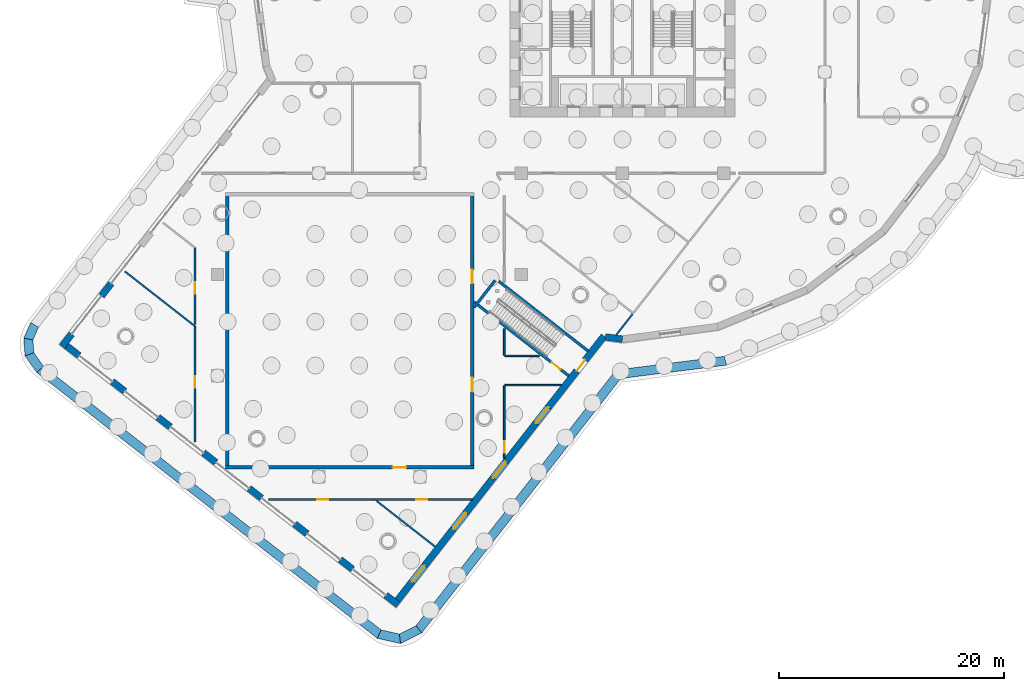
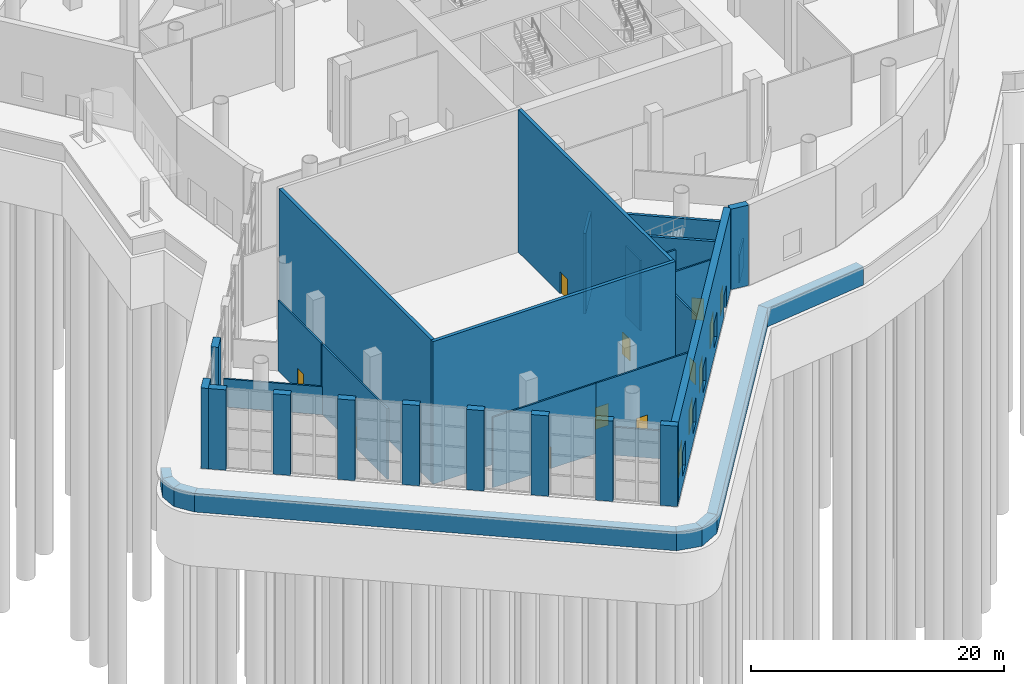
# One storey, part 11 of 34: 37 walls, 10 doors, 4 windows, 14 openings.
"""IFC4 building model written with IfcOpenShell, lengths in metres."""

from ifc_helpers import new_model, si_unit, direction, frame, frame_2d, origin, place, context, subcontext, project, spatial, polyline, rectangle, outline, extrude, material, layer, layer_set, type_object, element, fill, save


model = new_model("IFC4")

# Units and contexts
model_context = context("Model", 3, precision=1e-05, world=origin(), true_north=direction((0.0, 1.0)))
body_context = subcontext(model_context, "Body", "Model", "MODEL_VIEW")
ifc_project = project(units=[si_unit("LENGTHUNIT", "METRE"), si_unit("AREAUNIT", "SQUARE_METRE"), si_unit("VOLUMEUNIT", "CUBIC_METRE"), si_unit("PLANEANGLEUNIT", "RADIAN"), si_unit("MASSUNIT", "GRAM", prefix="KILO")], contexts=[model_context])

# Site, building, storey
site_placement = place(None, origin())
site = spatial("IfcSite", under=ifc_project, at=site_placement, CompositionType="ELEMENT")
building_placement = place(site_placement, origin())
building = spatial("IfcBuilding", under=site, at=building_placement, Name="Tarsis Ring Headquarters", CompositionType="ELEMENT")
storey_placement = place(building_placement, origin())
storey = spatial("IfcBuildingStorey", under=building, at=storey_placement, Name="L00", CompositionType="ELEMENT", Elevation=0.0)

# Walls
ifc_material_1 = material(Name="Concrete C40/50", Category="concrete")
ifc_layer_1 = layer(ifc_material_1, 0.800048828125)
ifc_layer_set_1 = layer_set([ifc_layer_1], Name="FD Plinth wall 800")
wall_type_1 = type_object("IfcWallType", Name="FD Plinth wall 800", PredefinedType="SOLIDWALL", material=ifc_layer_set_1)
wall_1_placement = place(storey_placement, frame((0.0, 0.0, -2.0)))
element("IfcWall", 1, at=wall_1_placement, inside=storey, type_object=wall_type_1, Name="Plinth wall 29", PredefinedType="SOLIDWALL", context=body_context, shape_type="SweptSolid", body=[
    extrude(outline(polyline([(-52.60595703125, -31.27392578125), (-53.228759765625, -32.667724609375), (-52.416259765625, -32.810302734375), (-51.91552734375, -31.689453125), (-52.60595703125, -31.27392578125)])), origin(), (0.0, 0.0, 1.0), 1.800048828125),
])
wall_2_placement = place(storey_placement, frame((0.0, 0.0, -2.0)))
element("IfcWall", 2, at=wall_2_placement, inside=storey, type_object=wall_type_1, Name="Plinth wall 30", PredefinedType="SOLIDWALL", context=body_context, shape_type="SweptSolid", body=[
    extrude(outline(polyline([(-53.228759765625, -32.667724609375), (-53.114013671875, -34.23583984375), (-52.33251953125, -33.95556640625), (-52.416259765625, -32.810302734375), (-53.228759765625, -32.667724609375)])), origin(), (0.0, 0.0, 1.0), 1.800048828125),
])
wall_3_placement = place(storey_placement, frame((0.0, 0.0, -2.0)))
element("IfcWall", 3, at=wall_3_placement, inside=storey, type_object=wall_type_1, Name="Plinth wall 31", PredefinedType="SOLIDWALL", context=body_context, shape_type="SweptSolid", body=[
    extrude(outline(polyline([(-53.114013671875, -34.23583984375), (-52.06787109375, -35.715087890625), (-51.482666015625, -35.156982421875), (-52.33251953125, -33.95556640625), (-53.114013671875, -34.23583984375)])), origin(), (0.0, 0.0, 1.0), 1.800048828125),
])
wall_4_placement = place(storey_placement, frame((0.0, 0.0, -2.0)))
element("IfcWall", 4, at=wall_4_placement, inside=storey, type_object=wall_type_1, Name="Plinth wall 32", PredefinedType="SOLIDWALL", context=body_context, shape_type="SweptSolid", body=[
    extrude(outline(polyline([(-52.06787109375, -35.715087890625), (-21.794677734375, -59.348876953125), (-21.44384765625, -58.607666015625), (-51.482666015625, -35.156982421875), (-52.06787109375, -35.715087890625)])), origin(), (0.0, 0.0, 1.0), 1.800048828125),
])
wall_5_placement = place(storey_placement, frame((0.0, 0.0, -2.0)))
element("IfcWall", 5, at=wall_5_placement, inside=storey, type_object=wall_type_1, Name="Plinth wall 33", PredefinedType="SOLIDWALL", context=body_context, shape_type="SweptSolid", body=[
    extrude(outline(polyline([(-21.794677734375, -59.348876953125), (-19.7275390625, -59.814208984375), (-19.8310546875, -58.970703125), (-21.44384765625, -58.607666015625), (-21.794677734375, -59.348876953125)])), origin(), (0.0, 0.0, 1.0), 1.800048828125),
])
wall_6_placement = place(storey_placement, frame((0.0, 0.0, -2.0)))
element("IfcWall", 6, at=wall_6_placement, inside=storey, type_object=wall_type_1, Name="Plinth wall 34", PredefinedType="SOLIDWALL", context=body_context, shape_type="SweptSolid", body=[
    extrude(outline(polyline([(-19.7275390625, -59.814208984375), (-17.83447265625, -58.862548828125), (-18.35400390625, -58.228271484375), (-19.8310546875, -58.970703125), (-19.7275390625, -59.814208984375)])), origin(), (0.0, 0.0, 1.0), 1.800048828125),
])
wall_7_placement = place(storey_placement, frame((0.0, 0.0, -2.0)))
element("IfcWall", 7, at=wall_7_placement, inside=storey, type_object=wall_type_1, Name="Plinth wall 35", PredefinedType="SOLIDWALL", context=body_context, shape_type="SweptSolid", body=[
    extrude(outline(polyline([(-17.83447265625, -58.862548828125), (-0.1513671875, -36.25244140625), (-0.57861328125, -35.500244140625), (-18.35400390625, -58.228271484375), (-17.83447265625, -58.862548828125)])), origin(), (0.0, 0.0, 1.0), 1.800048828125),
])
wall_8_placement = place(storey_placement, frame((0.0, 0.0, -2.0)))
element("IfcWall", 8, at=wall_8_placement, inside=storey, type_object=wall_type_1, Name="Plinth wall 36", PredefinedType="SOLIDWALL", context=body_context, shape_type="SweptSolid", body=[
    extrude(outline(polyline([(-0.1513671875, -36.25244140625), (9.265380859375, -35.05712890625), (9.0595703125, -34.276611328125), (-0.57861328125, -35.500244140625), (-0.1513671875, -36.25244140625)])), origin(), (0.0, 0.0, 1.0), 1.800048828125),
])
ifc_material_2 = material(Name="Plasterboard partition")
ifc_layer_2 = layer(ifc_material_2, 0.14990234375)
ifc_layer_set_2 = layer_set([ifc_layer_2], Name="PO-PW150")
wall_type_2 = type_object("IfcWallType", Name="PO-PW150", PredefinedType="PARTITIONING", material=ifc_layer_set_2)
wall_9_placement = place(storey_placement, frame((-44.23583984375, -26.732666015625, 0.0), z_axis=(0.0, 0.0, 1.0), x_axis=(0.788004728752, -0.615669186711, 0.0)))
element("IfcWall", 9, at=wall_9_placement, inside=storey, type_object=wall_type_2, Name="L00 partition wall 39", PredefinedType="PARTITIONING", context=body_context, shape_type="SweptSolid", body=[
    extrude(rectangle(XDim=7.91357421875, YDim=0.14990234375, at=frame_2d((3.956787109375, 0.0))), origin(), (0.0, 0.0, 1.0), 2.699951171875),
])
wall_10_placement = place(storey_placement, frame((-21.857421875, -47.135498046875, 0.0), z_axis=(0.0, 0.0, 1.0), x_axis=(0.788022692391, -0.615646194074, 0.0)))
element("IfcWall", 10, at=wall_10_placement, inside=storey, type_object=wall_type_2, Name="L00 partition wall 47", PredefinedType="PARTITIONING", context=body_context, shape_type="SweptSolid", body=[
    extrude(rectangle(XDim=6.604248046875, YDim=0.14990234375, at=frame_2d((3.30224609375, 0.0))), origin(), (0.0, 0.0, 1.0), 2.699951171875),
])
wall_11_placement = place(storey_placement, frame((-0.553955078125, -32.38232421875, 0.0), z_axis=(0.0, 0.0, 1.0), x_axis=(0.615616157212, 0.788046157899, 0.0)))
element("IfcWall", 11, at=wall_11_placement, inside=storey, type_object=wall_type_2, Name="L00 partition wall 85", PredefinedType="PARTITIONING", context=body_context, shape_type="SweptSolid", body=[
    extrude(rectangle(XDim=2.378662109375, YDim=0.14990234375, at=frame_2d((1.189453125, 0.0))), origin(), (0.0, 0.0, 1.0), 2.699951171875),
])

# Wall, opening, door
ifc_layer_3 = layer(ifc_material_2, 0.14990234375)
ifc_layer_set_3 = layer_set([ifc_layer_3], Name="PO-PW150R-6783")
wall_type_3 = type_object("IfcWallType", Name="PO-PW150R-6783", PredefinedType="PARTITIONING", material=ifc_layer_set_3)
wall_12_placement = place(storey_placement, frame((-38.0, -41.8837890625, 0.0), z_axis=(0.0, 0.0, 1.0), x_axis=(0.0, 1.0, 0.0)))
wall_12 = element("IfcWall", 12, at=wall_12_placement, inside=storey, type_object=wall_type_3, Name="L00 partition wall 23", PredefinedType="PARTITIONING", context=body_context, shape_type="SweptSolid", body=[
    extrude(rectangle(XDim=10.279052734375, YDim=0.14990234375, at=frame_2d((5.1396484375, 0.0))), origin(), (0.0, 0.0, 1.0), 6.782958984375),
])
opening_1_placement = place(wall_12_placement, frame((4.8134765625, 0.0, 0.0)))
opening_1 = element("IfcOpeningElement", 13, at=opening_1_placement, cuts=wall_12, Name="Opening PO-D1", PredefinedType="OPENING", context=body_context, shape_type="SweptSolid", body=[
    extrude(rectangle(XDim=1.0, YDim=2.10009765625, at=frame_2d((0.5, 1.050048828125))), frame((0.0, 0.0849609375, 0.0), z_axis=(0.0, -1.0, 0.0), x_axis=(1.0, 0.0, 0.0)), (0.0, 0.0, 1.0), 0.169921875),
])
ifc_material_3 = material(Name="Timber door", Category="wood")
door_type_1 = type_object("IfcDoorType", Name="PO-D1000", OperationType="NOTDEFINED", PredefinedType="DOOR", material=ifc_material_3)
door_1_placement = place(opening_1_placement, origin())
door_1 = element("IfcDoor", 14, at=door_1_placement, inside=storey, type_object=door_type_1, Name="Box office door", OperationType="SINGLE_SWING_RIGHT", OverallHeight=2.10009765625, OverallWidth=1.0, PredefinedType="DOOR", context=body_context, shape_type="SweptSolid", body=[
    extrude(rectangle(XDim=1.0, YDim=2.10009765625, at=frame_2d((0.5, 1.050048828125))), frame((0.0, 0.02490234375, 0.0), z_axis=(0.0, -1.0, 0.0), x_axis=(1.0, 0.0, 0.0)), (0.0, 0.0, 1.0), 0.050048828125),
])
fill(opening_1, door_1)

wall_13_placement = place(storey_placement, frame((-22.03076171875, -47.0, 0.0), z_axis=(0.0, 0.0, 1.0), x_axis=(-1.0, 0.0, 0.0)))
wall_13 = element("IfcWall", 15, at=wall_13_placement, inside=storey, type_object=wall_type_3, Name="L00 partition wall 26", PredefinedType="PARTITIONING", context=body_context, shape_type="SweptSolid", body=[
    extrude(rectangle(XDim=9.420654296875, YDim=0.14990234375, at=frame_2d((4.71044921875, 0.0))), origin(), (0.0, 0.0, 1.0), 6.782958984375),
])
opening_2_placement = place(wall_13_placement, frame((4.1201171875, 0.0, 0.0)))
opening_2 = element("IfcOpeningElement", 16, at=opening_2_placement, cuts=wall_13, Name="Opening PO-D1", PredefinedType="OPENING", context=body_context, shape_type="SweptSolid", body=[
    extrude(rectangle(XDim=1.0, YDim=2.10009765625, at=frame_2d((0.5, 1.050048828125))), frame((0.0, 0.0849609375, 0.0), z_axis=(0.0, -1.0, 0.0), x_axis=(1.0, 0.0, 0.0)), (0.0, 0.0, 1.0), 0.169921875),
])
door_2_placement = place(opening_2_placement, origin())
door_2 = element("IfcDoor", 17, at=door_2_placement, inside=storey, type_object=door_type_1, Name="Box office door", OperationType="SINGLE_SWING_RIGHT", OverallHeight=2.10009765625, OverallWidth=1.0, PredefinedType="DOOR", context=body_context, shape_type="SweptSolid", body=[
    extrude(rectangle(XDim=1.0, YDim=2.10009765625, at=frame_2d((0.5, 1.050048828125))), frame((0.0, 0.02490234375, 0.0), z_axis=(0.0, -1.0, 0.0), x_axis=(1.0, 0.0, 0.0)), (0.0, 0.0, 1.0), 0.050048828125),
])
fill(opening_2, door_2)

wall_14_placement = place(storey_placement, frame((-13.37060546875, -47.0, 0.0), z_axis=(0.0, 0.0, 1.0), x_axis=(-1.0, 0.0, 0.0)))
wall_14 = element("IfcWall", 18, at=wall_14_placement, inside=storey, type_object=wall_type_3, Name="L00 partition wall 29", PredefinedType="PARTITIONING", context=body_context, shape_type="SweptSolid", body=[
    extrude(rectangle(XDim=8.66015625, YDim=0.14990234375, at=frame_2d((4.330078125, 0.0))), origin(), (0.0, 0.0, 1.0), 6.782958984375),
])
opening_3_placement = place(wall_14_placement, frame((3.964111328125, 0.0, 0.0)))
opening_3 = element("IfcOpeningElement", 19, at=opening_3_placement, cuts=wall_14, Name="Opening PO-D1", PredefinedType="OPENING", context=body_context, shape_type="SweptSolid", body=[
    extrude(rectangle(XDim=1.0, YDim=2.10009765625, at=frame_2d((0.5, 1.050048828125))), frame((0.0, 0.0849609375, 0.0), z_axis=(0.0, -1.0, 0.0), x_axis=(1.0, 0.0, 0.0)), (0.0, 0.0, 1.0), 0.169921875),
])
door_3_placement = place(opening_3_placement, origin())
door_3 = element("IfcDoor", 20, at=door_3_placement, inside=storey, type_object=door_type_1, Name="Instrument store door", OperationType="SINGLE_SWING_LEFT", OverallHeight=2.10009765625, OverallWidth=1.0, PredefinedType="DOOR", context=body_context, shape_type="SweptSolid", body=[
    extrude(rectangle(XDim=1.0, YDim=2.10009765625, at=frame_2d((0.5, 1.050048828125))), frame((0.0, 0.02490234375, 0.0), z_axis=(0.0, -1.0, 0.0), x_axis=(1.0, 0.0, 0.0)), (0.0, 0.0, 1.0), 0.050048828125),
])
fill(opening_3, door_3)

wall_15_placement = place(storey_placement, frame((-38.0, -31.44482421875, 0.0), z_axis=(0.0, 0.0, 1.0), x_axis=(0.0, 1.0, 0.0)))
wall_15 = element("IfcWall", 21, at=wall_15_placement, inside=storey, type_object=wall_type_3, Name="L00 partition wall 46", PredefinedType="PARTITIONING", context=body_context, shape_type="SweptSolid", body=[
    extrude(rectangle(XDim=6.819580078125, YDim=0.14990234375, at=frame_2d((3.40966796875, 0.0))), origin(), (0.0, 0.0, 1.0), 6.782958984375),
])
opening_4_placement = place(wall_15_placement, frame((2.738525390625, 0.0, 0.0)))
opening_4 = element("IfcOpeningElement", 22, at=opening_4_placement, cuts=wall_15, Name="Opening PO-D1", PredefinedType="OPENING", context=body_context, shape_type="SweptSolid", body=[
    extrude(rectangle(XDim=1.0, YDim=2.10009765625, at=frame_2d((0.5, 1.050048828125))), frame((0.0, 0.0849609375, 0.0), z_axis=(0.0, -1.0, 0.0), x_axis=(1.0, 0.0, 0.0)), (0.0, 0.0, 1.0), 0.169921875),
])
door_4_placement = place(opening_4_placement, origin())
door_4 = element("IfcDoor", 23, at=door_4_placement, inside=storey, type_object=door_type_1, Name="Instrument store door", OperationType="SINGLE_SWING_LEFT", OverallHeight=2.10009765625, OverallWidth=1.0, PredefinedType="DOOR", context=body_context, shape_type="SweptSolid", body=[
    extrude(rectangle(XDim=1.0, YDim=2.10009765625, at=frame_2d((0.5, 1.050048828125))), frame((0.0, 0.02490234375, 0.0), z_axis=(0.0, -1.0, 0.0), x_axis=(1.0, 0.0, 0.0)), (0.0, 0.0, 1.0), 0.050048828125),
])
fill(opening_4, door_4)

wall_16_placement = place(storey_placement, frame((-10.5, -36.89990234375, 0.0), z_axis=(0.0, 0.0, 1.0), x_axis=(0.0, -1.0, 0.0)))
wall_16 = element("IfcWall", 24, at=wall_16_placement, inside=storey, type_object=wall_type_3, Name="L00 partition wall 50", PredefinedType="PARTITIONING", context=body_context, shape_type="SweptSolid", body=[
    extrude(rectangle(XDim=6.426025390625, YDim=0.14990234375, at=frame_2d((3.212890625, 0.0))), origin(), (0.0, 0.0, 1.0), 6.782958984375),
])
opening_5_placement = place(wall_16_placement, frame((4.949951171875, 0.0, 0.0)))
opening_5 = element("IfcOpeningElement", 25, at=opening_5_placement, cuts=wall_16, Name="Opening PO-D1", PredefinedType="OPENING", context=body_context, shape_type="SweptSolid", body=[
    extrude(rectangle(XDim=1.0, YDim=2.10009765625, at=frame_2d((0.5, 1.050048828125))), frame((0.0, 0.0849609375, 0.0), z_axis=(0.0, -1.0, 0.0), x_axis=(1.0, 0.0, 0.0)), (0.0, 0.0, 1.0), 0.169921875),
])
door_5_placement = place(opening_5_placement, origin())
door_5 = element("IfcDoor", 26, at=door_5_placement, inside=storey, type_object=door_type_1, Name="Newsagent kiosk door", OperationType="SINGLE_SWING_LEFT", OverallHeight=2.10009765625, OverallWidth=1.0, PredefinedType="DOOR", context=body_context, shape_type="SweptSolid", body=[
    extrude(rectangle(XDim=1.0, YDim=2.10009765625, at=frame_2d((0.5, 1.050048828125))), frame((0.0, 0.02490234375, 0.0), z_axis=(0.0, -1.0, 0.0), x_axis=(1.0, 0.0, 0.0)), (0.0, 0.0, 1.0), 0.050048828125),
])
fill(opening_5, door_5)

# Walls
wall_17_placement = place(storey_placement, frame((-5.4326171875, -36.840087890625, 0.0), z_axis=(0.0, 0.0, 1.0), x_axis=(-1.0, 0.0, 0.0)))
element("IfcWall", 27, at=wall_17_placement, inside=storey, type_object=wall_type_3, Name="L00 partition wall 67", PredefinedType="PARTITIONING", context=body_context, shape_type="SweptSolid", body=[
    extrude(rectangle(XDim=5.02734375, YDim=0.14990234375, at=frame_2d((2.513671875, 0.0))), origin(), (0.0, 0.0, 1.0), 6.782958984375),
])
wall_18_placement = place(storey_placement, frame((-10.4599609375, -34.239990234375, 0.0), z_axis=(0.0, 0.0, 1.0), x_axis=(1.0, 0.0, 0.0)))
element("IfcWall", 28, at=wall_18_placement, inside=storey, type_object=wall_type_3, Name="L00 partition wall 76", PredefinedType="PARTITIONING", context=body_context, shape_type="SweptSolid", body=[
    extrude(rectangle(XDim=3.049560546875, YDim=0.14990234375, at=frame_2d((1.52490234375, 0.0))), origin(), (0.0, 0.0, 1.0), 6.782958984375),
])
wall_19_placement = place(storey_placement, frame((-10.5, -31.828369140625, 0.0), z_axis=(0.0, 0.0, 1.0), x_axis=(0.0, -1.0, 0.0)))
element("IfcWall", 29, at=wall_19_placement, inside=storey, type_object=wall_type_3, Name="L00 partition wall 86", PredefinedType="PARTITIONING", context=body_context, shape_type="SweptSolid", body=[
    extrude(rectangle(XDim=2.351806640625, YDim=0.14990234375, at=frame_2d((1.17578125, 0.0))), origin(), (0.0, 0.0, 1.0), 6.782958984375),
])

# Wall, opening, door
ifc_layer_4 = layer(ifc_material_1, 0.25)
ifc_layer_set_4 = layer_set([ifc_layer_4], Name="PO-W250")
wall_type_4 = type_object("IfcWallType", Name="PO-W250", PredefinedType="SOLIDWALL", material=ifc_layer_set_4)
wall_20_placement = place(storey_placement, frame((-4.781494140625, -36.006591796875, 0.0), z_axis=(0.0, 0.0, 1.0), x_axis=(-0.788280084087, 0.615316592521, 0.0)))
wall_20 = element("IfcWall", 30, at=wall_20_placement, inside=storey, type_object=wall_type_4, Name="L00 shaft wall 15", PredefinedType="SOLIDWALL", context=body_context, shape_type="SweptSolid", body=[
    extrude(rectangle(XDim=10.679443359375, YDim=0.25, at=frame_2d((5.33984375, 0.0))), origin(), (0.0, 0.0, 1.0), 7.75),
])
opening_6_placement = place(wall_20_placement, frame((0.903564453125, 0.0, 0.0)))
opening_6 = element("IfcOpeningElement", 31, at=opening_6_placement, cuts=wall_20, Name="Opening PO-D3", PredefinedType="OPENING", context=body_context, shape_type="SweptSolid", body=[
    extrude(rectangle(XDim=1.0, YDim=2.10009765625, at=frame_2d((0.5, 1.050048828125))), frame((0.0, 0.135009765625, 0.0), z_axis=(0.0, -1.0, 0.0), x_axis=(1.0, 0.0, 0.0)), (0.0, 0.0, 1.0), 0.27001953125),
])
ifc_material_4 = material(Name="Steel fire door", Category="steel")
door_type_2 = type_object("IfcDoorType", Name="PO-D1000F", OperationType="SINGLE_SWING_LEFT", PredefinedType="DOOR", material=ifc_material_4)
door_6_placement = place(opening_6_placement, origin())
door_6 = element("IfcDoor", 32, at=door_6_placement, inside=storey, type_object=door_type_2, Name="Exit stair 2 door", OperationType="SINGLE_SWING_LEFT", OverallHeight=2.10009765625, OverallWidth=1.0, PredefinedType="DOOR", context=body_context, shape_type="SweptSolid", body=[
    extrude(rectangle(XDim=1.0, YDim=2.10009765625, at=frame_2d((0.5, 1.050048828125))), frame((0.0, 0.02490234375, 0.0), z_axis=(0.0, -1.0, 0.0), x_axis=(1.0, 0.0, 0.0)), (0.0, 0.0, 1.0), 0.050048828125),
])
fill(opening_6, door_6)

# Walls
wall_21_placement = place(storey_placement, frame((-11.23193359375, -27.41943359375, 0.0), z_axis=(0.0, 0.0, 1.0), x_axis=(0.788273447376, -0.615325094696, 0.0)))
element("IfcWall", 33, at=wall_21_placement, inside=storey, type_object=wall_type_4, Name="L00 shaft wall 16", PredefinedType="SOLIDWALL", context=body_context, shape_type="SweptSolid", body=[
    extrude(rectangle(XDim=10.369873046875, YDim=0.25, at=frame_2d((5.18505859375, 0.0))), origin(), (0.0, 0.0, 1.0), 7.75),
])
wall_22_placement = place(storey_placement, frame((-13.199951171875, -29.940673828125, 0.0), z_axis=(0.0, 0.0, 1.0), x_axis=(0.615305829788, 0.788288485156, 0.0)))
element("IfcWall", 34, at=wall_22_placement, inside=storey, type_object=wall_type_4, Name="L00 shaft wall 75", PredefinedType="SOLIDWALL", context=body_context, shape_type="SweptSolid", body=[
    extrude(rectangle(XDim=3.068359375, YDim=0.25, at=frame_2d((1.5341796875, 0.0))), origin(), (0.0, 0.0, 1.0), 7.75),
])

# Wall, opening, door
ifc_layer_5 = layer(ifc_material_1, 0.300048828125)
ifc_layer_set_5 = layer_set([ifc_layer_5], Name="PO-W300")
wall_type_5 = type_object("IfcWallType", Name="PO-W300", PredefinedType="SOLIDWALL", material=ifc_layer_set_5)
wall_23_placement = place(storey_placement, frame((-35.300048828125, -44.14990234375, 0.0), z_axis=(0.0, 0.0, 1.0), x_axis=(1.0, 0.0, 0.0)))
wall_23 = element("IfcWall", 35, at=wall_23_placement, inside=storey, type_object=wall_type_5, Name="Auditorium wall 1", PredefinedType="SOLIDWALL", context=body_context, shape_type="SweptSolid", body=[
    extrude(rectangle(XDim=22.10009765625, YDim=0.300048828125, at=frame_2d((11.050048828125, 0.0))), origin(), (0.0, 0.0, 1.0), 13.75),
])
opening_7_placement = place(wall_23_placement, frame((14.8701171875, 0.0, 0.0)))
opening_7 = element("IfcOpeningElement", 36, at=opening_7_placement, cuts=wall_23, Name="Opening PO-D2A", PredefinedType="OPENING", context=body_context, shape_type="SweptSolid", body=[
    extrude(rectangle(XDim=1.199951171875, YDim=2.10009765625, at=frame_2d((0.60009765625, 1.050048828125))), frame((0.0, 0.159912109375, 0.0), z_axis=(0.0, -1.0, 0.0), x_axis=(1.0, 0.0, 0.0)), (0.0, 0.0, 1.0), 0.320068359375),
])
door_type_3 = type_object("IfcDoorType", Name="PO-D1200-FD120", OperationType="NOTDEFINED", PredefinedType="DOOR", material=ifc_material_3)
door_7_placement = place(opening_7_placement, origin())
door_7 = element("IfcDoor", 37, at=door_7_placement, inside=storey, type_object=door_type_3, Name="Auditorium door", OperationType="SINGLE_SWING_LEFT", OverallHeight=2.10009765625, OverallWidth=1.199951171875, PredefinedType="DOOR", context=body_context, shape_type="SweptSolid", body=[
    extrude(rectangle(XDim=1.199951171875, YDim=2.10009765625, at=frame_2d((0.60009765625, 1.050048828125))), frame((0.0, 0.02490234375, 0.0), z_axis=(0.0, -1.0, 0.0), x_axis=(1.0, 0.0, 0.0)), (0.0, 0.0, 1.0), 0.050048828125),
])
fill(opening_7, door_7)

# Wall, openings, doors
wall_24_placement = place(storey_placement, frame((-13.35009765625, -44.0, 0.0), z_axis=(0.0, 0.0, 1.0), x_axis=(0.0, 1.0, 0.0)))
wall_24 = element("IfcWall", 38, at=wall_24_placement, inside=storey, type_object=wall_type_5, Name="Auditorium wall 2", PredefinedType="SOLIDWALL", context=body_context, shape_type="SweptSolid", body=[
    extrude(rectangle(XDim=24.0, YDim=0.300048828125, at=frame_2d((12.0, 0.0))), origin(), (0.0, 0.0, 1.0), 13.75),
])
opening_8_placement = place(wall_24_placement, frame((6.60009765625, 0.0, 0.0)))
opening_8 = element("IfcOpeningElement", 39, at=opening_8_placement, cuts=wall_24, Name="Opening PO-D2A", PredefinedType="OPENING", context=body_context, shape_type="SweptSolid", body=[
    extrude(rectangle(XDim=1.199951171875, YDim=2.10009765625, at=frame_2d((0.60009765625, 1.050048828125))), frame((0.0, 0.159912109375, 0.0), z_axis=(0.0, -1.0, 0.0), x_axis=(1.0, 0.0, 0.0)), (0.0, 0.0, 1.0), 0.320068359375),
])
opening_9_placement = place(wall_24_placement, frame((16.199951171875, 0.0, 0.0)))
opening_9 = element("IfcOpeningElement", 40, at=opening_9_placement, cuts=wall_24, Name="Opening PO-D2A", PredefinedType="OPENING", context=body_context, shape_type="SweptSolid", body=[
    extrude(rectangle(XDim=1.199951171875, YDim=2.10009765625, at=frame_2d((0.60009765625, 1.050048828125))), frame((0.0, 0.159912109375, 0.0), z_axis=(0.0, -1.0, 0.0), x_axis=(1.0, 0.0, 0.0)), (0.0, 0.0, 1.0), 0.320068359375),
])
door_8_placement = place(opening_8_placement, origin())
door_8 = element("IfcDoor", 41, at=door_8_placement, inside=storey, type_object=door_type_3, Name="Auditorium door", OperationType="SINGLE_SWING_RIGHT", OverallHeight=2.10009765625, OverallWidth=1.199951171875, PredefinedType="DOOR", context=body_context, shape_type="SweptSolid", body=[
    extrude(rectangle(XDim=1.199951171875, YDim=2.10009765625, at=frame_2d((0.60009765625, 1.050048828125))), frame((0.0, 0.02490234375, 0.0), z_axis=(0.0, -1.0, 0.0), x_axis=(1.0, 0.0, 0.0)), (0.0, 0.0, 1.0), 0.050048828125),
])
fill(opening_8, door_8)
door_9_placement = place(opening_9_placement, origin())
door_9 = element("IfcDoor", 42, at=door_9_placement, inside=storey, type_object=door_type_3, Name="Auditorium door", OperationType="SINGLE_SWING_LEFT", OverallHeight=2.10009765625, OverallWidth=1.199951171875, PredefinedType="DOOR", context=body_context, shape_type="SweptSolid", body=[
    extrude(rectangle(XDim=1.199951171875, YDim=2.10009765625, at=frame_2d((0.60009765625, 1.050048828125))), frame((0.0, 0.02490234375, 0.0), z_axis=(0.0, -1.0, 0.0), x_axis=(1.0, 0.0, 0.0)), (0.0, 0.0, 1.0), 0.050048828125),
])
fill(opening_9, door_9)

# Walls
wall_25_placement = place(storey_placement, frame((-35.14990234375, -20.0, 0.0), z_axis=(0.0, 0.0, 1.0), x_axis=(0.0, -1.0, 0.0)))
element("IfcWall", 43, at=wall_25_placement, inside=storey, type_object=wall_type_5, Name="Auditorium wall 4", PredefinedType="SOLIDWALL", context=body_context, shape_type="SweptSolid", body=[
    extrude(rectangle(XDim=24.0, YDim=0.300048828125, at=frame_2d((12.0, 0.0))), origin(), (0.0, 0.0, 1.0), 13.75),
])
ifc_material_5 = material(Name="Concrete C60/75", Category="concrete")
ifc_layer_6 = layer(ifc_material_5, 0.60009765625)
ifc_layer_set_6 = layer_set([ifc_layer_6], Name="PO-W600")
wall_type_6 = type_object("IfcWallType", Name="PO-W600", PredefinedType="SOLIDWALL", material=ifc_layer_set_6)
wall_26_placement = place(storey_placement, frame((-45.454345703125, -27.804931640625, 0.0), z_axis=(0.0, 0.0, 1.0), x_axis=(-0.615593278576, -0.788064029995, 0.0)))
element("IfcWall", 44, at=wall_26_placement, inside=storey, type_object=wall_type_6, Name="L00 shopfront pier 6.5", PredefinedType="SOLIDWALL", context=body_context, shape_type="SweptSolid", body=[
    extrude(rectangle(XDim=1.39990234375, YDim=0.60009765625, at=frame_2d((0.699951171875, 0.0))), origin(), (0.0, 0.0, 1.0), 7.75),
])
wall_27_placement = place(storey_placement, frame((-48.966552734375, -32.300537109375, 0.0), z_axis=(0.0, 0.0, 1.0), x_axis=(-0.615701564558, -0.787979430823, 0.0)))
element("IfcWall", 45, at=wall_27_placement, inside=storey, type_object=wall_type_6, Name="L00 shopfront pier 6.6", PredefinedType="SOLIDWALL", context=body_context, shape_type="SweptSolid", body=[
    extrude(rectangle(XDim=1.400146484375, YDim=0.60009765625, at=frame_2d((0.7001953125, 0.0))), origin(), (0.0, 0.0, 1.0), 7.75),
])
for number, where, z_axis, x_axis, name in (
    (46, (-49.407470703125, -33.35205078125, 0.0), (0.0, 0.0, 1.0), (0.788064029995, -0.615593278576, 0.0), "L00 shopfront pier 7.1"),
    (47, (-45.354736328125, -36.518310546875, 0.0), (0.0, 0.0, 1.0), (0.788064029995, -0.615593278576, 0.0), "L00 shopfront pier 7.2"),
    (48, (-41.30224609375, -39.6845703125, 0.0), (0.0, 0.0, 1.0), (0.788064029995, -0.615593278576, 0.0), "L00 shopfront pier 7.3"),
    (49, (-37.24951171875, -42.850830078125, 0.0), (0.0, 0.0, 1.0), (0.788064029995, -0.615593278576, 0.0), "L00 shopfront pier 7.4"),
    (50, (-33.19677734375, -46.01708984375, 0.0), (0.0, 0.0, 1.0), (0.78799793076, -0.615677887469, 0.0), "L00 shopfront pier 7.5"),
    (51, (-29.144287109375, -49.183349609375, 0.0), (0.0, 0.0, 1.0), (0.788064029995, -0.615593278576, 0.0), "L00 shopfront pier 7.6"),
    (52, (-25.091552734375, -52.349609375, 0.0), (0.0, 0.0, 1.0), (0.78799793076, -0.615677887469, 0.0), "L00 shopfront pier 7.7"),
    (53, (-21.0390625, -55.515869140625, 0.0), (0.0, 0.0, 1.0), (0.788064029995, -0.615593278576, 0.0), "L00 shopfront pier 7.8"),
):
    element("IfcWall", number, at=place(storey_placement, frame(where, z_axis=z_axis, x_axis=x_axis)), inside=storey, type_object=wall_type_6, Name=name, PredefinedType="SOLIDWALL", context=body_context, shape_type="SweptSolid", body=[
        extrude(rectangle(XDim=1.39990234375, YDim=0.60009765625, at=frame_2d((0.699951171875, 0.0))), origin(), (0.0, 0.0, 1.0), 7.75),
    ])

# Wall, openings, door, windows
wall_28_placement = place(storey_placement, frame((-1.6396484375, -32.472412109375, 0.0), z_axis=(0.0, 0.0, 1.0), x_axis=(-0.615659303268, -0.7880124506, 0.0)))
wall_28 = element("IfcWall", 54, at=wall_28_placement, inside=storey, type_object=wall_type_6, Name="L00 external wall 8", PredefinedType="SOLIDWALL", context=body_context, shape_type="SweptSolid", body=[
    extrude(rectangle(XDim=29.802001953125, YDim=0.60009765625, at=frame_2d((14.90087890625, 0.0))), origin(), (0.0, 0.0, 1.0), 7.75),
])
opening_10_placement = place(wall_28_placement, frame((25.921630859375, 0.0, 0.89990234375)))
opening_10 = element("IfcOpeningElement", 55, at=opening_10_placement, cuts=wall_28, Name="Opening PO-WN1", PredefinedType="OPENING", context=body_context, shape_type="SweptSolid", body=[
    extrude(rectangle(XDim=1.800048828125, YDim=2.39990234375, at=frame_2d((0.89990234375, 1.199951171875))), frame((0.0, 0.31005859375, 0.0), z_axis=(0.0, -1.0, 0.0), x_axis=(1.0, 0.0, 0.0)), (0.0, 0.0, 1.0), 0.6201171875),
])
opening_11_placement = place(wall_28_placement, frame((19.96142578125, 0.0, 0.89990234375)))
opening_11 = element("IfcOpeningElement", 56, at=opening_11_placement, cuts=wall_28, Name="Opening PO-WN1", PredefinedType="OPENING", context=body_context, shape_type="SweptSolid", body=[
    extrude(rectangle(XDim=1.800048828125, YDim=2.39990234375, at=frame_2d((0.89990234375, 1.199951171875))), frame((0.0, 0.31005859375, 0.0), z_axis=(0.0, -1.0, 0.0), x_axis=(1.0, 0.0, 0.0)), (0.0, 0.0, 1.0), 0.6201171875),
])
opening_12_placement = place(wall_28_placement, frame((14.200927734375, 0.0, 0.89990234375)))
opening_12 = element("IfcOpeningElement", 57, at=opening_12_placement, cuts=wall_28, Name="Opening PO-WN1", PredefinedType="OPENING", context=body_context, shape_type="SweptSolid", body=[
    extrude(rectangle(XDim=1.800048828125, YDim=2.39990234375, at=frame_2d((0.89990234375, 1.199951171875))), frame((0.0, 0.31005859375, 0.0), z_axis=(0.0, -1.0, 0.0), x_axis=(1.0, 0.0, 0.0)), (0.0, 0.0, 1.0), 0.6201171875),
])
opening_13_placement = place(wall_28_placement, frame((8.04052734375, 0.0, 0.89990234375)))
opening_13 = element("IfcOpeningElement", 58, at=opening_13_placement, cuts=wall_28, Name="Opening PO-WN1", PredefinedType="OPENING", context=body_context, shape_type="SweptSolid", body=[
    extrude(rectangle(XDim=1.800048828125, YDim=2.39990234375, at=frame_2d((0.89990234375, 1.199951171875))), frame((0.0, 0.31005859375, 0.0), z_axis=(0.0, -1.0, 0.0), x_axis=(1.0, 0.0, 0.0)), (0.0, 0.0, 1.0), 0.6201171875),
])
opening_14_placement = place(wall_28_placement, frame((2.7216796875, 0.0, 0.0)))
opening_14 = element("IfcOpeningElement", 59, at=opening_14_placement, cuts=wall_28, Name="Opening PO-D6", PredefinedType="OPENING", context=body_context, shape_type="SweptSolid", body=[
    extrude(rectangle(XDim=1.199951171875, YDim=2.10009765625, at=frame_2d((0.60009765625, 1.050048828125))), frame((0.0, 0.31005859375, 0.0), z_axis=(0.0, -1.0, 0.0), x_axis=(1.0, 0.0, 0.0)), (0.0, 0.0, 1.0), 0.6201171875),
])
ifc_material_6 = material(Name="Steel door", Category="steel")
door_type_4 = type_object("IfcDoorType", Name="PO-D1200X", OperationType="SINGLE_SWING_RIGHT", PredefinedType="DOOR", material=ifc_material_6)
door_10_placement = place(opening_14_placement, origin())
door_10 = element("IfcDoor", 60, at=door_10_placement, inside=storey, type_object=door_type_4, Name="Exit stair 2 discharge door", OperationType="SINGLE_SWING_RIGHT", OverallHeight=2.10009765625, OverallWidth=1.199951171875, PredefinedType="DOOR", context=body_context, shape_type="SweptSolid", body=[
    extrude(rectangle(XDim=1.199951171875, YDim=2.10009765625, at=frame_2d((0.60009765625, 1.050048828125))), frame((0.0, 0.02490234375, 0.0), z_axis=(0.0, -1.0, 0.0), x_axis=(1.0, 0.0, 0.0)), (0.0, 0.0, 1.0), 0.050048828125),
])
fill(opening_14, door_10)
ifc_material_7 = material(Name="Double glazing", Category="glass")
window_type = type_object("IfcWindowType", Name="PO-WN1800", PartitioningType="SINGLE_PANEL", PredefinedType="WINDOW", material=ifc_material_7)
window_1_placement = place(opening_10_placement, origin())
window_1 = element("IfcWindow", 61, at=window_1_placement, inside=storey, type_object=window_type, Name="L00 window 8.1", OverallHeight=2.39990234375, OverallWidth=1.800048828125, PartitioningType="SINGLE_PANEL", PredefinedType="WINDOW", context=body_context, shape_type="SweptSolid", body=[
    extrude(rectangle(XDim=1.800048828125, YDim=2.39990234375, at=frame_2d((0.89990234375, 1.199951171875))), frame((0.0, 0.030029296875, 0.0), z_axis=(0.0, -1.0, 0.0), x_axis=(1.0, 0.0, 0.0)), (0.0, 0.0, 1.0), 0.06005859375),
])
fill(opening_10, window_1)
window_2_placement = place(opening_11_placement, origin())
window_2 = element("IfcWindow", 62, at=window_2_placement, inside=storey, type_object=window_type, Name="L00 window 8.2", OverallHeight=2.39990234375, OverallWidth=1.800048828125, PartitioningType="SINGLE_PANEL", PredefinedType="WINDOW", context=body_context, shape_type="SweptSolid", body=[
    extrude(rectangle(XDim=1.800048828125, YDim=2.39990234375, at=frame_2d((0.89990234375, 1.199951171875))), frame((0.0, 0.030029296875, 0.0), z_axis=(0.0, -1.0, 0.0), x_axis=(1.0, 0.0, 0.0)), (0.0, 0.0, 1.0), 0.06005859375),
])
fill(opening_11, window_2)
window_3_placement = place(opening_12_placement, origin())
window_3 = element("IfcWindow", 63, at=window_3_placement, inside=storey, type_object=window_type, Name="L00 window 8.3", OverallHeight=2.39990234375, OverallWidth=1.800048828125, PartitioningType="SINGLE_PANEL", PredefinedType="WINDOW", context=body_context, shape_type="SweptSolid", body=[
    extrude(rectangle(XDim=1.800048828125, YDim=2.39990234375, at=frame_2d((0.89990234375, 1.199951171875))), frame((0.0, 0.030029296875, 0.0), z_axis=(0.0, -1.0, 0.0), x_axis=(1.0, 0.0, 0.0)), (0.0, 0.0, 1.0), 0.06005859375),
])
fill(opening_12, window_3)
window_4_placement = place(opening_13_placement, origin())
window_4 = element("IfcWindow", 64, at=window_4_placement, inside=storey, type_object=window_type, Name="L00 window 8.4", OverallHeight=2.39990234375, OverallWidth=1.800048828125, PartitioningType="SINGLE_PANEL", PredefinedType="WINDOW", context=body_context, shape_type="SweptSolid", body=[
    extrude(rectangle(XDim=1.800048828125, YDim=2.39990234375, at=frame_2d((0.89990234375, 1.199951171875))), frame((0.0, 0.030029296875, 0.0), z_axis=(0.0, -1.0, 0.0), x_axis=(1.0, 0.0, 0.0)), (0.0, 0.0, 1.0), 0.06005859375),
])
fill(opening_13, window_4)

# Wall
wall_29_placement = place(storey_placement, frame((-1.510498046875, -32.55908203125, 0.0), z_axis=(0.0, 0.0, 1.0), x_axis=(0.991455931764, -0.130442076686, 0.0)))
element("IfcWall", 65, at=wall_29_placement, inside=storey, type_object=wall_type_6, Name="L00 external wall 9", PredefinedType="SOLIDWALL", context=body_context, shape_type="SweptSolid", body=[
    extrude(rectangle(XDim=1.5234375, YDim=0.60009765625, at=frame_2d((0.76171875, 0.0))), origin(), (0.0, 0.0, 1.0), 7.75),
])

save(model, "model.ifc")
